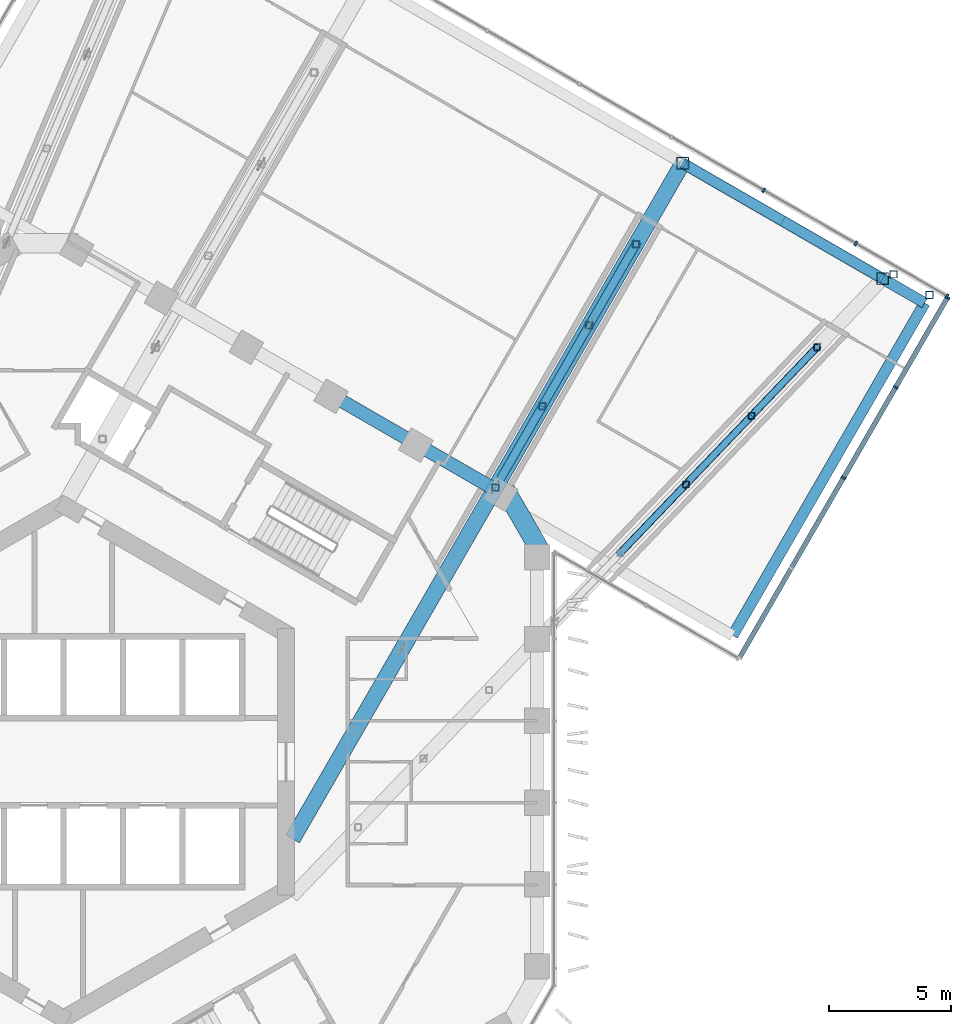
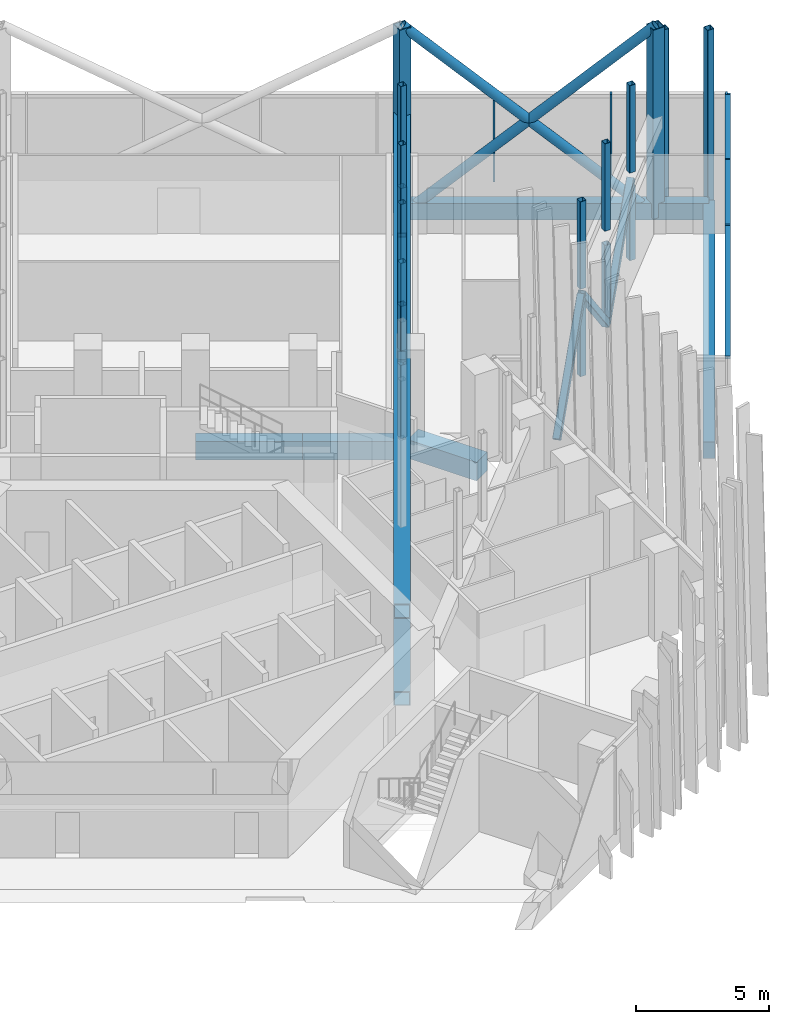
# One storey, part 9 of 31: 35 members, 6 beams, 2 elements without a shape of their own.
"""IFC4 building model written with IfcOpenShell, lengths in metres."""

from ifc_helpers import new_model, si_unit, direction, frame, origin, origin_2d, place, context, subcontext, project, spatial, rectangle, hollow_rectangle, hollow_circle, extrude, material, layer, layer_set, material_profile, profile_set, type_object, element, aggregate, save


model = new_model("IFC4")

# Units and contexts
model_context = context("Model", 3, precision=1e-05, world=origin(), true_north=direction((0.0, 1.0)))
body_context = subcontext(model_context, "Body", "Model", "MODEL_VIEW")
ifc_project = project(units=[si_unit("LENGTHUNIT", "METRE"), si_unit("AREAUNIT", "SQUARE_METRE"), si_unit("VOLUMEUNIT", "CUBIC_METRE"), si_unit("PLANEANGLEUNIT", "RADIAN"), si_unit("MASSUNIT", "GRAM", prefix="KILO")], contexts=[model_context])

# Site, building, storey
site_placement = place(None, origin())
site = spatial("IfcSite", under=ifc_project, at=site_placement, CompositionType="ELEMENT")
building_placement = place(site_placement, origin())
building = spatial("IfcBuilding", under=site, at=building_placement, Name="Ayvan Gate Tower", CompositionType="ELEMENT")
storey_placement = place(building_placement, frame((0.0, 0.0, 135.89990234375)))
storey = spatial("IfcBuildingStorey", under=building, at=storey_placement, Name="L36", CompositionType="ELEMENT", Elevation=135.89990234375)

# Beam
ifc_material_1 = material(Name="Concrete C40/50", Category="concrete")
ifc_material_profile_1 = material_profile(ifc_material_1, rectangle(XDim=0.800048828125, YDim=0.85009765625, at=origin_2d()), Name="RC 800x850")
ifc_profile_set_1 = profile_set([ifc_material_profile_1], Name="Concrete C40/50")
beam_type_1 = type_object("IfcBeamType", Name="Corner spandrel beam RC 800x850 C40/50", PredefinedType="BEAM", material=ifc_profile_set_1)
beam_1_placement = place(storey_placement, frame((19.676025390625, 8.580322265625, -0.824951171875), z_axis=(-0.499990139034, 0.866031096941, 0.0), x_axis=(-0.866031096941, -0.499990139034, 0.0)))
element("IfcBeam", 1, at=beam_1_placement, inside=storey, type_object=beam_type_1, Name="SB-L36-6", PredefinedType="BEAM", context=body_context, shape_type="SweptSolid", body=[
    extrude(rectangle(XDim=0.800048828125, YDim=0.85009765625, at=origin_2d()), origin(), (0.0, 0.0, 1.0), 3.0),
])

# Members
ifc_material_2 = material(Name="Steel S460NH", Category="steel")
ifc_material_profile_2 = material_profile(ifc_material_2, hollow_rectangle(XDim=0.300048828125, YDim=0.300048828125, WallThickness=0.01611328125, InnerFilletRadius=0.01611328125, OuterFilletRadius=0.02392578125, at=origin_2d()), Name="RHS 300x300x16")
ifc_profile_set_2 = profile_set([ifc_material_profile_2], Name="Steel S460NH")
member_type_1 = type_object("IfcMemberType", Name="Sky bar corner post B3 RHS 300x300x16", PredefinedType="POST", material=ifc_profile_set_2)
for number, where, z_axis, x_axis, name in (
    (2, (34.15283203125, 20.05419921875, -1.14990234375), (0.0, 0.0, 1.0), (1.0, 0.0, 0.0), "SBX3-C-P-3"),
    (3, (35.625, 19.204345703125, -1.14990234375), (0.0, 0.0, 1.0), (1.0, 0.0, 0.0), "SBX3-C-P-4"),
):
    element("IfcMember", number, at=place(storey_placement, frame(where, z_axis=z_axis, x_axis=x_axis)), inside=storey, type_object=member_type_1, Name=name, PredefinedType="POST", context=body_context, shape_type="SweptSolid", body=[
        extrude(hollow_rectangle(XDim=0.300048828125, YDim=0.300048828125, WallThickness=0.01611328125, InnerFilletRadius=0.01611328125, OuterFilletRadius=0.02392578125, at=origin_2d()), origin(), (0.0, 0.0, 1.0), 8.375),
    ])

# Beams
ifc_material_profile_3 = material_profile(ifc_material_1, rectangle(XDim=0.449951171875, YDim=0.75, at=origin_2d()), Name="RC 450x750")
ifc_profile_set_3 = profile_set([ifc_material_profile_3], Name="Concrete C40/50")
beam_type_2 = type_object("IfcBeamType", Name="Sky bar edge beam RC 450x750 C40/50", PredefinedType="BEAM", material=ifc_profile_set_3)
beam_2_placement = place(storey_placement, frame((25.475830078125, 24.625244140625, -0.77490234375), z_axis=(0.866020389056, -0.500008685663, 0.0), x_axis=(0.500008685663, 0.866020389056, 0.0)))
element("IfcBeam", 4, at=beam_2_placement, inside=storey, type_object=beam_type_2, Name="EB-B3-L36-6", PredefinedType="BEAM", context=body_context, shape_type="SweptSolid", body=[
    extrude(rectangle(XDim=0.449951171875, YDim=0.75, at=origin_2d()), origin(), (0.0, 0.0, 1.0), 9.499755859375),
])
beam_3_placement = place(storey_placement, frame((33.702880859375, 19.875244140625, -0.77490234375), z_axis=(0.866041268327, -0.499972520799, 0.0), x_axis=(0.499972520799, 0.866041268327, 0.0)))
element("IfcBeam", 5, at=beam_3_placement, inside=storey, type_object=beam_type_2, Name="EB-B3-L36-7", PredefinedType="BEAM", context=body_context, shape_type="SweptSolid", body=[
    extrude(rectangle(XDim=0.449951171875, YDim=0.75, at=origin_2d()), origin(), (0.0, 0.0, 1.0), 2.0),
])
beam_4_placement = place(storey_placement, frame((35.43505859375, 18.875244140625, -0.77490234375), z_axis=(-0.500009581873, -0.866019871617, 0.0), x_axis=(0.866019871617, -0.500009581873, 0.0)))
element("IfcBeam", 6, at=beam_4_placement, inside=storey, type_object=beam_type_2, Name="EB-B3-L36-8", PredefinedType="BEAM", context=body_context, shape_type="SweptSolid", body=[
    extrude(rectangle(XDim=0.449951171875, YDim=0.75, at=origin_2d()), origin(), (0.0, 0.0, 1.0), 15.800048828125),
])

# Members
ifc_material_profile_4 = material_profile(ifc_material_2, hollow_rectangle(XDim=0.300048828125, YDim=0.300048828125, WallThickness=0.02001953125, InnerFilletRadius=0.02001953125, OuterFilletRadius=0.030029296875, at=origin_2d()), Name="RHS 300x300x20")
ifc_profile_set_4 = profile_set([ifc_material_profile_4], Name="Steel S460NH")
member_type_2 = type_object("IfcMemberType", Name="Sky bar end truss brace B3 RHS 300x300x20", PredefinedType="BRACE", material=ifc_profile_set_4)
for number, where, z_axis, x_axis, name in (
    (7, (22.908935546875, 8.59033203125, -0.724853515625), (0.482796213226, 0.504723626511, 0.715654859088), (-0.722629633366, 0.691235425149, 0.0), "SBT3-1-D-6"),
    (8, (25.607421875, 11.411376953125, 3.275146484375), (0.482785569208, 0.504756178211, -0.715639081327), (-0.722659512524, 0.691204187602, 0.0), "SBT3-1-D-7"),
    (9, (28.305908203125, 14.232666015625, -0.724853515625), (0.482785569208, 0.504756178211, 0.715639081327), (-0.722659512524, 0.691204187602, 0.0), "SBT3-1-D-8"),
):
    element("IfcMember", number, at=place(storey_placement, frame(where, z_axis=z_axis, x_axis=x_axis)), inside=storey, type_object=member_type_2, Name=name, PredefinedType="BRACE", context=body_context, shape_type="SweptSolid", body=[
        extrude(hollow_rectangle(XDim=0.300048828125, YDim=0.300048828125, WallThickness=0.02001953125, InnerFilletRadius=0.02001953125, OuterFilletRadius=0.030029296875, at=origin_2d()), origin(), (0.0, 0.0, 1.0), 5.58935546875),
    ])
ifc_material_profile_5 = material_profile(ifc_material_2, hollow_rectangle(XDim=0.27001953125, YDim=0.27001953125, WallThickness=0.01611328125, InnerFilletRadius=0.01611328125, OuterFilletRadius=0.02392578125, at=origin_2d()), Name="RHS 270x270x16")
ifc_profile_set_5 = profile_set([ifc_material_profile_5], Name="Steel S460NH")
member_type_3 = type_object("IfcMemberType", Name="Sky bar end truss post B3 RHS 270x270x16", PredefinedType="POST", material=ifc_profile_set_5)
for number, where, z_axis, x_axis, name in (
    (10, (25.607421875, 11.411376953125, -0.39990234375), (0.0, 0.0, 1.0), (1.0, 0.0, 0.0), "SBT3-1-P-6"),
    (11, (28.305908203125, 14.232666015625, -0.39990234375), (0.0, 0.0, 1.0), (1.0, 0.0, 0.0), "SBT3-1-P-7"),
    (12, (31.00439453125, 17.053955078125, -0.39990234375), (0.0, 0.0, 1.0), (1.0, 0.0, 0.0), "SBT3-1-P-8"),
):
    element("IfcMember", number, at=place(storey_placement, frame(where, z_axis=z_axis, x_axis=x_axis)), inside=storey, type_object=member_type_3, Name=name, PredefinedType="POST", context=body_context, shape_type="SweptSolid", body=[
        extrude(hollow_rectangle(XDim=0.27001953125, YDim=0.27001953125, WallThickness=0.01611328125, InnerFilletRadius=0.01611328125, OuterFilletRadius=0.02392578125, at=origin_2d()), origin(), (0.0, 0.0, 1.0), 3.35009765625),
    ])
ifc_material_3 = material(Name="Steel S460ML", Category="steel")
ifc_material_profile_6 = material_profile(ifc_material_3, hollow_rectangle(XDim=0.5, YDim=0.5, WallThickness=0.030029296875, at=origin_2d()), Name="BOX 500x500x30")
ifc_profile_set_6 = profile_set([ifc_material_profile_6], Name="Steel S460ML")
member_type_4 = type_object("IfcMemberType", Name="Sky bar end wall post BOX 500x500x30", PredefinedType="POST", material=ifc_profile_set_6)
for number, where, z_axis, x_axis, name in (
    (13, (33.702880859375, 19.875244140625, -1.0498046875), (0.0, 0.0, 1.0), (1.0, 0.0, 0.0), "EXO-B3-P1"),
    (14, (25.475830078125, 24.625244140625, -1.0498046875), (0.0, 0.0, 1.0), (1.0, 0.0, 0.0), "EXO-B3-P2"),
):
    element("IfcMember", number, at=place(storey_placement, frame(where, z_axis=z_axis, x_axis=x_axis)), inside=storey, type_object=member_type_4, Name=name, PredefinedType="POST", context=body_context, shape_type="SweptSolid", body=[
        extrude(hollow_rectangle(XDim=0.5, YDim=0.5, WallThickness=0.030029296875, at=origin_2d()), origin(), (0.0, 0.0, 1.0), 8.64990234375),
    ])
ifc_material_profile_7 = material_profile(ifc_material_2, hollow_circle(Radius=0.203125, WallThickness=0.01611328125, at=origin_2d()), Name="CHS 406.4x16")
ifc_profile_set_7 = profile_set([ifc_material_profile_7], Name="Steel S460NH")
member_type_5 = type_object("IfcMemberType", Name="Sky bar exoskeleton brace CHS 406.4x16", PredefinedType="BRACE", material=ifc_profile_set_7)
for number, where, z_axis, x_axis, name in (
    (15, (33.702880859375, 19.875244140625, -1.0498046875), (-0.640343728943, 0.36971118732, 0.673255929624), (-0.500008685663, -0.866020389056, 0.0), "EXO-B3-D1A"),
    (16, (25.475830078125, 24.625244140625, -1.0498046875), (0.640343728943, -0.36971118732, 0.673255929624), (0.500008685663, 0.866020389056, 0.0), "EXO-B3-D1B"),
):
    element("IfcMember", number, at=place(storey_placement, frame(where, z_axis=z_axis, x_axis=x_axis)), inside=storey, type_object=member_type_5, Name=name, PredefinedType="BRACE", context=body_context, shape_type="SweptSolid", body=[
        extrude(hollow_circle(Radius=0.203125, WallThickness=0.01611328125, at=origin_2d()), origin(), (0.0, 0.0, 1.0), 12.847900390625),
    ])
ifc_material_profile_8 = material_profile(ifc_material_2, hollow_rectangle(XDim=0.35009765625, YDim=0.35009765625, WallThickness=0.01611328125, InnerFilletRadius=0.01611328125, OuterFilletRadius=0.02392578125, at=origin_2d()), Name="RHS 350x350x16")
ifc_profile_set_8 = profile_set([ifc_material_profile_8], Name="Steel S460NH")
member_type_6 = type_object("IfcMemberType", Name="Sky bar truss brace B3 RHS 350x350x16", PredefinedType="BRACE", material=ifc_profile_set_8)
member_1_placement = place(storey_placement, frame((17.775390625, 11.287841796875, 3.275146484375), z_axis=(0.346740883854, 0.60056312629, -0.720482262659), x_axis=(-0.866021906294, 0.500006057782, 0.0)))
element("IfcMember", 17, at=member_1_placement, inside=storey, type_object=member_type_6, Name="SBT3-2-D-5", PredefinedType="BRACE", context=body_context, shape_type="SweptSolid", body=[
    extrude(hollow_rectangle(XDim=0.35009765625, YDim=0.35009765625, WallThickness=0.01611328125, InnerFilletRadius=0.01611328125, OuterFilletRadius=0.02392578125, at=origin_2d()), origin(), (0.0, 0.0, 1.0), 5.5517578125),
])
member_2_placement = place(storey_placement, frame((19.700439453125, 14.6220703125, -0.724853515625), z_axis=(0.346731726589, 0.600591239284, 0.720463235059), x_axis=(-0.86603775845, 0.499978600481, 0.0)))
element("IfcMember", 18, at=member_2_placement, inside=storey, type_object=member_type_6, Name="SBT3-2-D-6", PredefinedType="BRACE", context=body_context, shape_type="SweptSolid", body=[
    extrude(hollow_rectangle(XDim=0.35009765625, YDim=0.35009765625, WallThickness=0.01611328125, InnerFilletRadius=0.01611328125, OuterFilletRadius=0.02392578125, at=origin_2d()), origin(), (0.0, 0.0, 1.0), 5.552001953125),
])
member_3_placement = place(storey_placement, frame((21.62548828125, 17.95654296875, 3.275146484375), z_axis=(0.346740883854, 0.60056312629, -0.720482262659), x_axis=(-0.866021906294, 0.500006057782, 0.0)))
element("IfcMember", 19, at=member_3_placement, inside=storey, type_object=member_type_6, Name="SBT3-2-D-7", PredefinedType="BRACE", context=body_context, shape_type="SweptSolid", body=[
    extrude(hollow_rectangle(XDim=0.35009765625, YDim=0.35009765625, WallThickness=0.01611328125, InnerFilletRadius=0.01611328125, OuterFilletRadius=0.02392578125, at=origin_2d()), origin(), (0.0, 0.0, 1.0), 5.5517578125),
])
ifc_material_profile_9 = material_profile(ifc_material_3, hollow_rectangle(XDim=0.64990234375, YDim=0.64990234375, WallThickness=0.0400390625, at=origin_2d()), Name="BOX 650x650x40")
ifc_profile_set_9 = profile_set([ifc_material_profile_9], Name="Steel S460ML")
member_type_7 = type_object("IfcMemberType", Name="Sky bar truss chord B3 BOX 650x650x40", PredefinedType="CHORD", material=ifc_profile_set_9)
for number, where, z_axis, x_axis, name in (
    (20, (9.425048828125, -3.175537109375, -0.724853515625), (0.499999829719, 0.866025502096, 0.0), (-0.866025502096, 0.499999829719, 0.0), "SBT3-2-BC-1"),
    (21, (9.425048828125, -3.175537109375, 3.275146484375), (0.499999829719, 0.866025502096, 0.0), (-0.866025502096, 0.499999829719, 0.0), "SBT3-2-TC-1"),
):
    element("IfcMember", number, at=place(storey_placement, frame(where, z_axis=z_axis, x_axis=x_axis)), inside=storey, type_object=member_type_7, Name=name, PredefinedType="CHORD", context=body_context, shape_type="SweptSolid", body=[
        extrude(hollow_rectangle(XDim=0.64990234375, YDim=0.64990234375, WallThickness=0.0400390625, at=origin_2d()), origin(), (0.0, 0.0, 1.0), 32.1015625),
    ])
ifc_material_profile_10 = material_profile(ifc_material_2, hollow_rectangle(XDim=0.300048828125, YDim=0.300048828125, WallThickness=0.01611328125, InnerFilletRadius=0.01611328125, OuterFilletRadius=0.02392578125, at=origin_2d()), Name="RHS 300x300x16")
ifc_profile_set_10 = profile_set([ifc_material_profile_10], Name="Steel S460NH")
member_type_8 = type_object("IfcMemberType", Name="Sky bar truss post B3 RHS 300x300x16", PredefinedType="POST", material=ifc_profile_set_10)
for number, where, z_axis, x_axis, name in (
    (22, (17.775390625, 11.287841796875, -0.39990234375), (0.0, 0.0, 1.0), (1.0, 0.0, 0.0), "SBT3-2-P-4"),
    (23, (19.700439453125, 14.6220703125, -0.39990234375), (0.0, 0.0, 1.0), (1.0, 0.0, 0.0), "SBT3-2-P-5"),
    (24, (21.62548828125, 17.95654296875, -0.39990234375), (0.0, 0.0, 1.0), (1.0, 0.0, 0.0), "SBT3-2-P-6"),
    (25, (23.550537109375, 21.290771484375, -0.39990234375), (0.0, 0.0, 1.0), (1.0, 0.0, 0.0), "SBT3-2-P-7"),
):
    element("IfcMember", number, at=place(storey_placement, frame(where, z_axis=z_axis, x_axis=x_axis)), inside=storey, type_object=member_type_8, Name=name, PredefinedType="POST", context=body_context, shape_type="SweptSolid", body=[
        extrude(hollow_rectangle(XDim=0.300048828125, YDim=0.300048828125, WallThickness=0.01611328125, InnerFilletRadius=0.01611328125, OuterFilletRadius=0.02392578125, at=origin_2d()), origin(), (0.0, 0.0, 1.0), 3.35009765625),
    ])
ifc_material_profile_11 = material_profile(ifc_material_2, hollow_rectangle(XDim=0.260009765625, YDim=0.260009765625, WallThickness=0.012451171875, InnerFilletRadius=0.012451171875, OuterFilletRadius=0.018798828125, at=origin_2d()), Name="RHS 260x260x12.5")
ifc_profile_set_11 = profile_set([ifc_material_profile_11], Name="Steel S460NH")
member_type_9 = type_object("IfcMemberType", Name="Sky bar upper post B3 RHS 260x260x12.5", PredefinedType="POST", material=ifc_profile_set_11)
for number, where, z_axis, x_axis, name in (
    (26, (25.607421875, 11.411376953125, 3.60009765625), (0.0, 0.0, 1.0), (1.0, 0.0, 0.0), "SBT3-1-U-6"),
    (27, (28.305908203125, 14.232666015625, 3.60009765625), (0.0, 0.0, 1.0), (1.0, 0.0, 0.0), "SBT3-1-U-7"),
    (28, (31.00439453125, 17.053955078125, 3.60009765625), (0.0, 0.0, 1.0), (1.0, 0.0, 0.0), "SBT3-1-U-8"),
    (29, (17.775390625, 11.287841796875, 3.60009765625), (0.0, 0.0, 1.0), (1.0, 0.0, 0.0), "SBT3-2-U-4"),
    (30, (19.700439453125, 14.6220703125, 3.60009765625), (0.0, 0.0, 1.0), (1.0, 0.0, 0.0), "SBT3-2-U-5"),
    (31, (21.62548828125, 17.95654296875, 3.60009765625), (0.0, 0.0, 1.0), (1.0, 0.0, 0.0), "SBT3-2-U-6"),
    (32, (23.550537109375, 21.290771484375, 3.60009765625), (0.0, 0.0, 1.0), (1.0, 0.0, 0.0), "SBT3-2-U-7"),
):
    element("IfcMember", number, at=place(storey_placement, frame(where, z_axis=z_axis, x_axis=x_axis)), inside=storey, type_object=member_type_9, Name=name, PredefinedType="POST", context=body_context, shape_type="SweptSolid", body=[
        extrude(hollow_rectangle(XDim=0.260009765625, YDim=0.260009765625, WallThickness=0.012451171875, InnerFilletRadius=0.012451171875, OuterFilletRadius=0.018798828125, at=origin_2d()), origin(), (0.0, 0.0, 1.0), 4.0),
    ])

# Beams
ifc_material_profile_12 = material_profile(ifc_material_1, rectangle(XDim=0.550048828125, YDim=0.85009765625, at=origin_2d()), Name="RC 550x850")
ifc_profile_set_12 = profile_set([ifc_material_profile_12], Name="Concrete C40/50")
beam_type_3 = type_object("IfcBeamType", Name="Spandrel beam RC 550x850 C40/50", PredefinedType="BEAM", material=ifc_profile_set_12)
beam_5_placement = place(storey_placement, frame((17.985595703125, 11.068359375, -0.824951171875), z_axis=(-0.866001364167, 0.500041635528, 0.0), x_axis=(-0.500041635528, -0.866001364167, 0.0)))
element("IfcBeam", 33, at=beam_5_placement, inside=storey, type_object=beam_type_3, Name="SB-L36-7", PredefinedType="BEAM", context=body_context, shape_type="SweptSolid", body=[
    extrude(rectangle(XDim=0.550048828125, YDim=0.85009765625, at=origin_2d()), origin(), (0.0, 0.0, 1.0), 4.016845703125),
])
beam_6_placement = place(storey_placement, frame((14.507080078125, 13.076904296875, -0.824951171875), z_axis=(-0.866027683981, 0.499996050563, 0.0), x_axis=(-0.499996050563, -0.866027683981, 0.0)))
element("IfcBeam", 34, at=beam_6_placement, inside=storey, type_object=beam_type_3, Name="SB-L36-8", PredefinedType="BEAM", context=body_context, shape_type="SweptSolid", body=[
    extrude(rectangle(XDim=0.550048828125, YDim=0.85009765625, at=origin_2d()), origin(), (0.0, 0.0, 1.0), 4.0166015625),
])

# Curtain wall, members
ifc_material_4 = material(Name="Bronze anodised aluminium", Category="aluminium")
ifc_layer = layer(ifc_material_4, 0.199951171875)
ifc_layer_set = layer_set([ifc_layer], Name="Bronze anodised aluminium")
curtain_wall_type = type_object("IfcCurtainWallType", Name="Stick curtain wall CW-4", PredefinedType="NOTDEFINED", material=ifc_layer_set)
curtain_wall_1_placement = place(storey_placement, origin())
curtain_wall_1 = element("IfcCurtainWall", 35, at=curtain_wall_1_placement, inside=storey, type_object=curtain_wall_type, Name="Stick curtain wall CW-4 L36", PredefinedType="NOTDEFINED")
ifc_material_profile_13 = material_profile(ifc_material_4, rectangle(XDim=0.199951171875, YDim=0.080078125, at=origin_2d()), Name="Stick curtain wall CW-4 mullion 200 x 80")
ifc_profile_set_13 = profile_set([ifc_material_profile_13], Name="Bronze anodised aluminium")
member_type_10 = type_object("IfcMemberType", Name="Stick curtain wall CW-4 mullion 200 x 80", PredefinedType="MULLION", material=ifc_profile_set_13)
member_4_placement = place(storey_placement, frame((32.09130859375, 11.68359375, 0.0), z_axis=(0.0, 0.0, 1.0), x_axis=(0.866025403784, -0.5, 0.0)))
member_4 = element("IfcMember", 36, at=member_4_placement, type_object=member_type_10, Name="CW-4 mullion 3", PredefinedType="MULLION", context=body_context, shape_type="SweptSolid", body=[
    extrude(rectangle(XDim=0.199951171875, YDim=0.080078125, at=origin_2d()), origin(), (0.0, 0.0, 1.0), 4.0),
])
member_5_placement = place(storey_placement, frame((34.2412109375, 15.407470703125, 0.0), z_axis=(0.0, 0.0, 1.0), x_axis=(0.866025403784, -0.5, 0.0)))
member_5 = element("IfcMember", 37, at=member_5_placement, type_object=member_type_10, Name="CW-4 mullion 4", PredefinedType="MULLION", context=body_context, shape_type="SweptSolid", body=[
    extrude(rectangle(XDim=0.199951171875, YDim=0.080078125, at=origin_2d()), origin(), (0.0, 0.0, 1.0), 4.0),
])
member_6_placement = place(storey_placement, frame((36.371337890625, 19.096923828125, 0.0), z_axis=(0.0, 0.0, 1.0), x_axis=(0.866025403784, -0.5, 0.0)))
member_6 = element("IfcMember", 38, at=member_6_placement, type_object=member_type_10, Name="CW-4 mullion 5", PredefinedType="MULLION", context=body_context, shape_type="SweptSolid", body=[
    extrude(rectangle(XDim=0.199951171875, YDim=0.080078125, at=origin_2d()), origin(), (0.0, 0.0, 1.0), 4.0),
])

curtain_wall_2_placement = place(storey_placement, origin())
curtain_wall_2 = element("IfcCurtainWall", 39, at=curtain_wall_2_placement, inside=storey, type_object=curtain_wall_type, Name="Stick curtain wall CW-4 L36", PredefinedType="NOTDEFINED")
member_7_placement = place(storey_placement, frame((36.356689453125, 19.1513671875, 0.0), z_axis=(0.0, 0.0, 1.0), x_axis=(0.5, 0.866025403784, 0.0)))
member_7 = element("IfcMember", 40, at=member_7_placement, type_object=member_type_10, Name="CW-4 mullion 1", PredefinedType="MULLION", context=body_context, shape_type="SweptSolid", body=[
    extrude(rectangle(XDim=0.199951171875, YDim=0.080078125, at=origin_2d()), origin(), (0.0, 0.0, 1.0), 4.0),
])
member_8_placement = place(storey_placement, frame((32.599853515625, 21.3203125, 0.0), z_axis=(0.0, 0.0, 1.0), x_axis=(0.5, 0.866025403784, 0.0)))
member_8 = element("IfcMember", 41, at=member_8_placement, type_object=member_type_10, Name="CW-4 mullion 2", PredefinedType="MULLION", context=body_context, shape_type="SweptSolid", body=[
    extrude(rectangle(XDim=0.199951171875, YDim=0.080078125, at=origin_2d()), origin(), (0.0, 0.0, 1.0), 4.0),
])
member_9_placement = place(storey_placement, frame((28.80859375, 23.50927734375, 0.0), z_axis=(0.0, 0.0, 1.0), x_axis=(0.5, 0.866025403784, 0.0)))
member_9 = element("IfcMember", 42, at=member_9_placement, type_object=member_type_10, Name="CW-4 mullion 3", PredefinedType="MULLION", context=body_context, shape_type="SweptSolid", body=[
    extrude(rectangle(XDim=0.199951171875, YDim=0.080078125, at=origin_2d()), origin(), (0.0, 0.0, 1.0), 4.0),
])
aggregate(curtain_wall_2, [member_7, member_8, member_9])

# Member
ifc_material_profile_14 = material_profile(ifc_material_4, rectangle(XDim=0.199951171875, YDim=0.139892578125, at=origin_2d()), Name="Stick curtain wall CW-4 transom 200 x 140")
ifc_profile_set_14 = profile_set([ifc_material_profile_14], Name="Bronze anodised aluminium")
member_type_11 = type_object("IfcMemberType", Name="Stick curtain wall CW-4 transom 200 x 140", PredefinedType="USERDEFINED", material=ifc_profile_set_14)
member_10_placement = place(storey_placement, frame((27.811279296875, 4.2705078125, 3.93017578125), z_axis=(0.500001021432, 0.866024814059, 0.0), x_axis=(-0.866024814059, 0.500001021432, 0.0)))
member_10 = element("IfcMember", 43, at=member_10_placement, type_object=member_type_11, Name="CW-4 transom 1", ObjectType="TRANSOM", PredefinedType="USERDEFINED", context=body_context, shape_type="SweptSolid", body=[
    extrude(rectangle(XDim=0.199951171875, YDim=0.139892578125, at=origin_2d()), origin(), (0.0, 0.0, 1.0), 17.1201171875),
])

aggregate(curtain_wall_1, [member_4, member_5, member_6, member_10])

save(model, "model.ifc")
